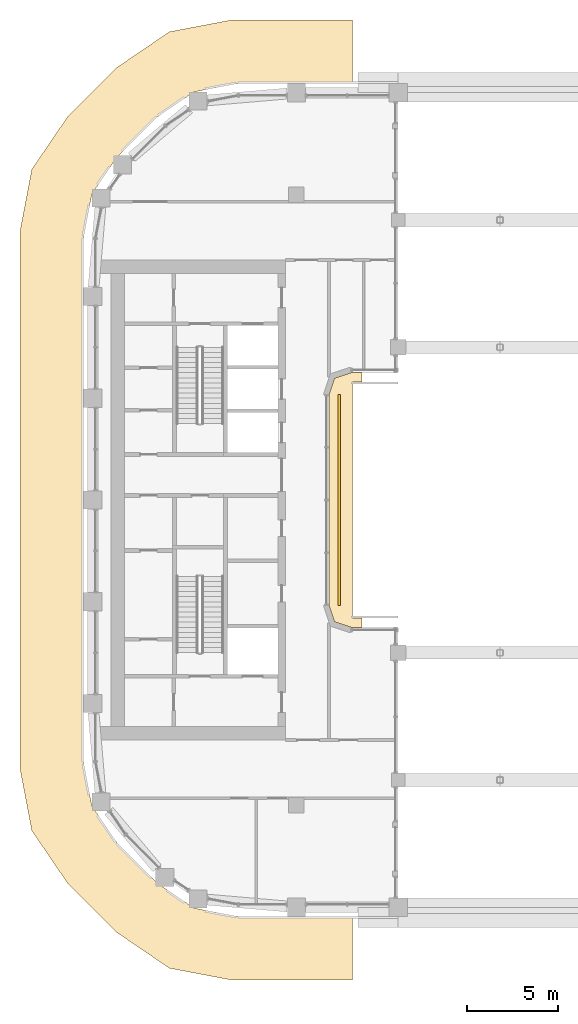
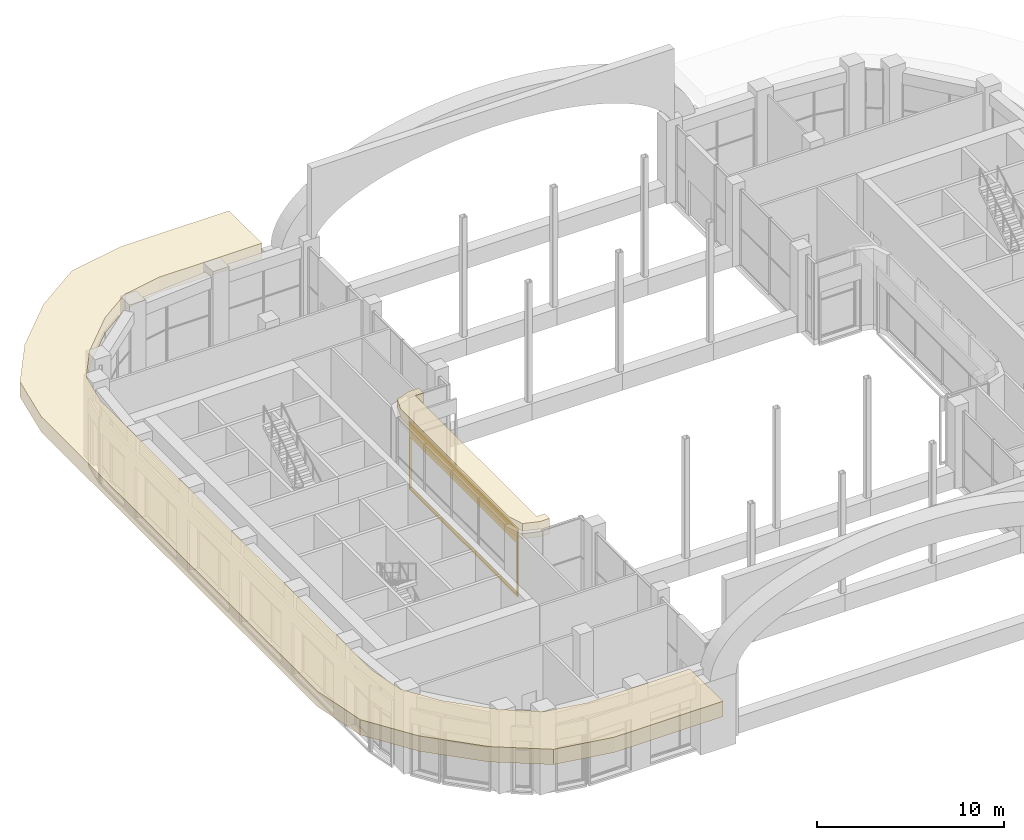
# One storey, part 23 of 28: 3 coverings.
"""IFC4 building model written with IfcOpenShell, lengths in metres."""

from ifc_helpers import new_model, si_unit, direction, frame, origin, place, context, subcontext, project, spatial, polyline, outline, extrude, material, layer, layer_set, type_object, element, save


model = new_model("IFC4")

# Units and contexts
model_context = context("Model", 3, precision=1e-05, world=origin(), true_north=direction((0.0, 1.0)))
body_context = subcontext(model_context, "Body", "Model", "MODEL_VIEW")
ifc_project = project(units=[si_unit("LENGTHUNIT", "METRE"), si_unit("AREAUNIT", "SQUARE_METRE"), si_unit("VOLUMEUNIT", "CUBIC_METRE"), si_unit("PLANEANGLEUNIT", "RADIAN"), si_unit("MASSUNIT", "GRAM", prefix="KILO")], contexts=[model_context])

# Site, building, storey
site_placement = place(None, origin())
site = spatial("IfcSite", under=ifc_project, at=site_placement, CompositionType="ELEMENT")
building_placement = place(site_placement, origin())
building = spatial("IfcBuilding", under=site, at=building_placement, Name="Kiln Ring Residences", CompositionType="ELEMENT")
storey_placement = place(building_placement, frame((0.0, 0.0, 178.10009765625)))
storey = spatial("IfcBuildingStorey", under=building, at=storey_placement, Name="L46", CompositionType="ELEMENT", Elevation=178.10009765625)

# Coverings
ifc_material_1 = material(Name="Brick masonry, dark clay brick", Category="masonry")
ifc_layer_1 = layer(ifc_material_1, 0.1201171875)
ifc_layer_set_1 = layer_set([ifc_layer_1], Name="RAINSCREEN PANEL 120")
covering_type_1 = type_object("IfcCoveringType", Name="RAINSCREEN PANEL 120", PredefinedType="CLADDING", material=ifc_layer_set_1)
covering_1_placement = place(storey_placement, frame((-14.43994140625, -5.800048828125, 0.0), z_axis=(0.0, 0.0, 1.0), x_axis=(0.0, 1.0, 0.0)))
element("IfcCovering", 1, at=covering_1_placement, inside=storey, type_object=covering_type_1, Name="RAINSCREEN L46", PredefinedType="CLADDING", context=body_context, shape_type="SweptSolid", body=[
    extrude(outline(polyline([(0.0, 0.0), (11.60009765625, 0.0), (11.60009765625, 4.39990234375), (0.0, 4.39990234375), (0.0, 0.0)]), holes=[polyline([(0.080078125, 3.469970703125), (0.080078125, 0.1298828125), (11.52001953125, 0.1298828125), (11.52001953125, 3.469970703125), (0.080078125, 3.469970703125)])]), frame((0.0, 0.06005859375, 0.0), z_axis=(0.0, -1.0, 0.0), x_axis=(1.0, 0.0, 0.0)), (0.0, 0.0, 1.0), 0.1201171875),
])
ifc_material_2 = material(Name="Black powder-coated steel", Category="steel")
ifc_layer_2 = layer(ifc_material_2, 1.0)
ifc_layer_set_2 = layer_set([ifc_layer_2], Name="SUNSHADE FIN 3500")
covering_type_2 = type_object("IfcCoveringType", Name="SUNSHADE FIN 3500", PredefinedType="CLADDING", material=ifc_layer_set_2)
placement = place(storey_placement, frame((0.0, 0.0, 4.39990234375)))
element("IfcCovering", 2, at=placement, inside=storey, type_object=covering_type_2, Name="SUNSHADE FIN L46", PredefinedType="CLADDING", context=body_context, shape_type="SweptSolid", body=[
    extrude(outline(polyline([(-31.349609375, 18.1875), (-32.0, 14.778076171875), (-32.0, -14.778076171875), (-31.349609375, -18.1875), (-29.398681640625, -21.05810546875), (-26.658203125, -23.798583984375), (-23.78759765625, -25.749755859375), (-20.378173828125, -26.39990234375), (-13.699951171875, -26.39990234375), (-13.699951171875, -22.89990234375), (-20.04736328125, -22.89990234375), (-22.419677734375, -22.447509765625), (-24.417236328125, -21.08984375), (-26.68994140625, -18.817138671875), (-28.047607421875, -16.819580078125), (-28.5, -14.447265625), (-28.5, 14.447265625), (-28.047607421875, 16.819580078125), (-26.68994140625, 18.817138671875), (-24.417236328125, 21.08984375), (-22.419677734375, 22.447509765625), (-20.04736328125, 22.89990234375), (-13.699951171875, 22.89990234375), (-13.699951171875, 26.39990234375), (-20.378173828125, 26.39990234375), (-23.78759765625, 25.749755859375), (-26.658203125, 23.798583984375), (-29.398681640625, 21.05810546875), (-31.349609375, 18.1875)])), origin(), (0.0, 0.0, 1.0), 1.0),
])
element("IfcCovering", 3, at=placement, inside=storey, type_object=covering_type_2, Name="SUNSHADE FIN L46", PredefinedType="CLADDING", context=body_context, shape_type="SweptSolid", body=[
    extrude(outline(polyline([(-13.699951171875, -6.5), (-13.699951171875, 6.5), (-13.18994140625, 6.5), (-13.18994140625, 7.0), (-13.800048828125, 7.0), (-14.699951171875, 6.699951171875), (-15.0, 5.800048828125), (-15.0, -5.800048828125), (-14.699951171875, -6.699951171875), (-13.800048828125, -7.0), (-13.18994140625, -7.0), (-13.18994140625, -6.5), (-13.699951171875, -6.5)])), origin(), (0.0, 0.0, 1.0), 1.0),
])

save(model, "model.ifc")
